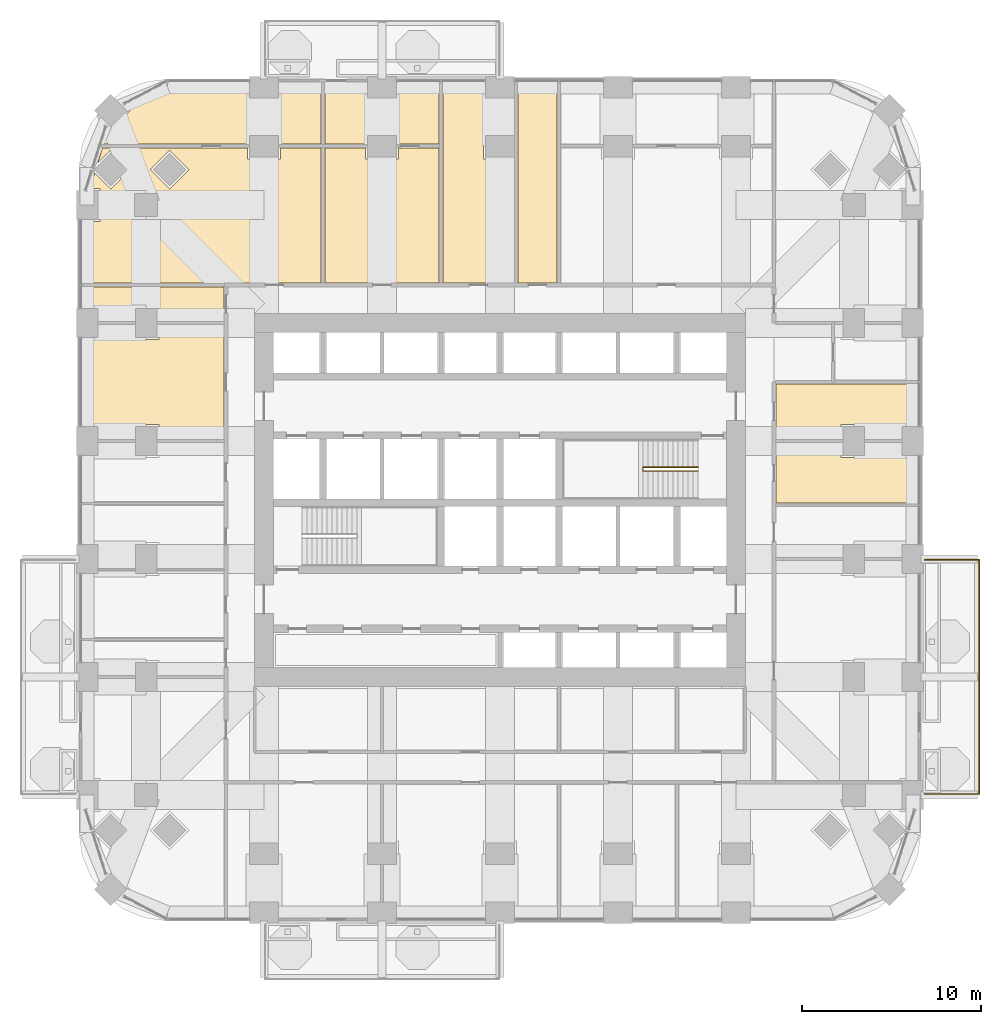
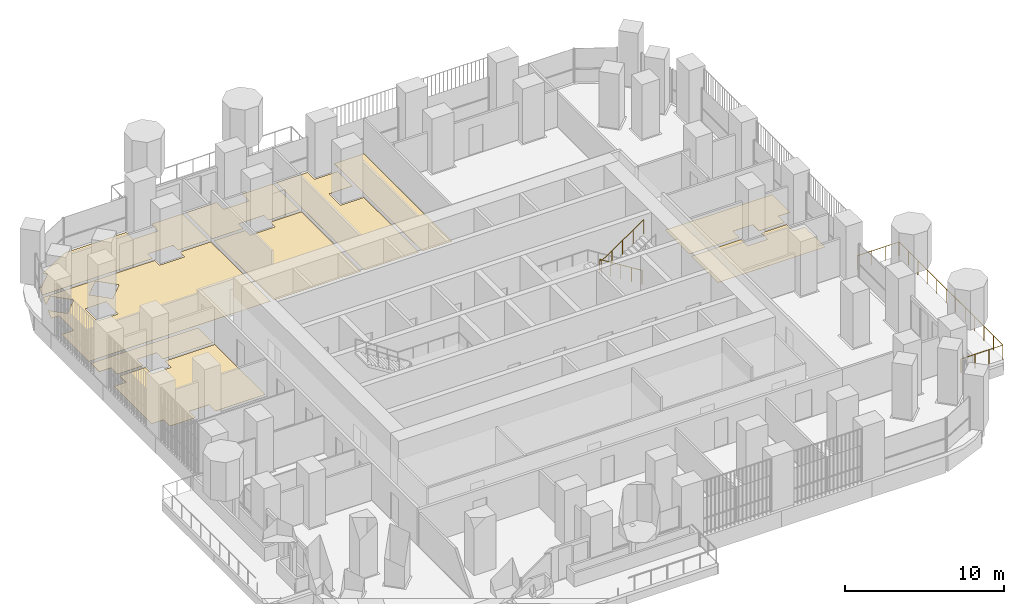
# One storey, part 19 of 21: 10 coverings, 2 railings.
"""IFC4 building model written with IfcOpenShell, lengths in metres."""

from ifc_helpers import new_model, si_unit, direction, frame, origin, place, context, subcontext, project, spatial, polyline, outline, extrude, material, layer, layer_set, type_object, element, save


model = new_model("IFC4")

# Units and contexts
model_context = context("Model", 3, precision=1e-05, world=origin(), true_north=direction((0.0, 1.0)))
body_context = subcontext(model_context, "Body", "Model", "MODEL_VIEW")
ifc_project = project(units=[si_unit("LENGTHUNIT", "METRE"), si_unit("AREAUNIT", "SQUARE_METRE"), si_unit("VOLUMEUNIT", "CUBIC_METRE"), si_unit("PLANEANGLEUNIT", "RADIAN"), si_unit("MASSUNIT", "GRAM", prefix="KILO")], contexts=[model_context])

# Site, building, storey
site_placement = place(None, origin())
site = spatial("IfcSite", under=ifc_project, at=site_placement, CompositionType="ELEMENT")
building_placement = place(site_placement, origin())
building = spatial("IfcBuilding", under=site, at=building_placement, Name="Cobogo Forest Laboratory Tower", CompositionType="ELEMENT")
storey_placement = place(building_placement, frame((0.0, 0.0, 141.0)))
storey = spatial("IfcBuildingStorey", under=building, at=storey_placement, Name="L32", CompositionType="ELEMENT", Elevation=141.0)

# Railing
ifc_material_1 = material(Name="Laminated glass balustrade", Category="glass")
railing_type_1 = type_object("IfcRailingType", Name="BG1 glass balustrade 1100", PredefinedType="GUARDRAIL", material=ifc_material_1)
railing_1_placement = place(storey_placement, frame((50.14990234375, 6.64990234375, 0.0)))
element("IfcRailing", 1, at=railing_1_placement, inside=storey, type_object=railing_type_1, Name="Balcony balustrade BAL-E1 L32", PredefinedType="GUARDRAIL", context=body_context, shape_type="SweptSolid", body=[
    extrude(outline(polyline([(0.022216796875, 0.00927734375), (0.00927734375, 0.022216796875), (-0.00927734375, 0.022216796875), (-0.022216796875, 0.00927734375), (-0.022216796875, -0.00927734375), (-0.00927734375, -0.022216796875), (0.00927734375, -0.022216796875), (0.022216796875, -0.00927734375), (0.022216796875, 0.00927734375)])), frame((0.0, 0.0, 1.077880859375), z_axis=(1.0, 0.0, 0.0), x_axis=(0.0, 1.0, 0.0)), (0.0, 0.0, 1.0), 3.050048828125),
    extrude(outline(polyline([(0.022216796875, 0.00927734375), (0.00927734375, 0.022216796875), (-0.00927734375, 0.022216796875), (-0.022216796875, 0.00927734375), (-0.022216796875, -0.00927734375), (-0.00927734375, -0.022216796875), (0.00927734375, -0.022216796875), (0.022216796875, -0.00927734375), (0.022216796875, 0.00927734375)])), frame((3.050048828125, 0.0, 1.077880859375), z_axis=(0.0, 1.0, 0.0), x_axis=(-1.0, 0.0, 0.0)), (0.0, 0.0, 1.0), 13.10009765625),
    extrude(outline(polyline([(0.022216796875, 0.00927734375), (0.00927734375, 0.022216796875), (-0.00927734375, 0.022216796875), (-0.022216796875, 0.00927734375), (-0.022216796875, -0.00927734375), (-0.00927734375, -0.022216796875), (0.00927734375, -0.022216796875), (0.022216796875, -0.00927734375), (0.022216796875, 0.00927734375)])), frame((3.050048828125, 13.10009765625, 1.077880859375), z_axis=(-1.0, 0.0, 0.0), x_axis=(0.0, -1.0, 0.0)), (0.0, 0.0, 1.0), 3.050048828125),
    extrude(outline(polyline([(0.019287109375, 0.008056640625), (0.008056640625, 0.019287109375), (-0.008056640625, 0.019287109375), (-0.019287109375, 0.008056640625), (-0.019287109375, -0.008056640625), (-0.008056640625, -0.019287109375), (0.008056640625, -0.019287109375), (0.019287109375, -0.008056640625), (0.019287109375, 0.008056640625)])), origin(), (0.0, 0.0, 1.0), 1.077880859375),
    extrude(outline(polyline([(0.019287109375, 0.008056640625), (0.008056640625, 0.019287109375), (-0.008056640625, 0.019287109375), (-0.019287109375, 0.008056640625), (-0.019287109375, -0.008056640625), (-0.008056640625, -0.019287109375), (0.008056640625, -0.019287109375), (0.019287109375, -0.008056640625), (0.019287109375, 0.008056640625)])), frame((1.0166015625, 0.0, 0.0)), (0.0, 0.0, 1.0), 1.077880859375),
    extrude(outline(polyline([(0.019287109375, 0.008056640625), (0.008056640625, 0.019287109375), (-0.008056640625, 0.019287109375), (-0.019287109375, 0.008056640625), (-0.019287109375, -0.008056640625), (-0.008056640625, -0.019287109375), (0.008056640625, -0.019287109375), (0.019287109375, -0.008056640625), (0.019287109375, 0.008056640625)])), frame((2.033447265625, 0.0, 0.0)), (0.0, 0.0, 1.0), 1.077880859375),
    extrude(outline(polyline([(0.019287109375, 0.008056640625), (0.008056640625, 0.019287109375), (-0.008056640625, 0.019287109375), (-0.019287109375, 0.008056640625), (-0.019287109375, -0.008056640625), (-0.008056640625, -0.019287109375), (0.008056640625, -0.019287109375), (0.019287109375, -0.008056640625), (0.019287109375, 0.008056640625)])), frame((3.050048828125, 0.0, 0.0)), (0.0, 0.0, 1.0), 1.077880859375),
    extrude(outline(polyline([(0.019287109375, 0.008056640625), (0.008056640625, 0.019287109375), (-0.008056640625, 0.019287109375), (-0.019287109375, 0.008056640625), (-0.019287109375, -0.008056640625), (-0.008056640625, -0.019287109375), (0.008056640625, -0.019287109375), (0.019287109375, -0.008056640625), (0.019287109375, 0.008056640625)])), frame((3.050048828125, 1.19091796875, 0.0)), (0.0, 0.0, 1.0), 1.077880859375),
    extrude(outline(polyline([(0.019287109375, 0.008056640625), (0.008056640625, 0.019287109375), (-0.008056640625, 0.019287109375), (-0.019287109375, 0.008056640625), (-0.019287109375, -0.008056640625), (-0.008056640625, -0.019287109375), (0.008056640625, -0.019287109375), (0.019287109375, -0.008056640625), (0.019287109375, 0.008056640625)])), frame((3.050048828125, 2.3818359375, 0.0)), (0.0, 0.0, 1.0), 1.077880859375),
    extrude(outline(polyline([(0.019287109375, 0.008056640625), (0.008056640625, 0.019287109375), (-0.008056640625, 0.019287109375), (-0.019287109375, 0.008056640625), (-0.019287109375, -0.008056640625), (-0.008056640625, -0.019287109375), (0.008056640625, -0.019287109375), (0.019287109375, -0.008056640625), (0.019287109375, 0.008056640625)])), frame((3.050048828125, 3.57275390625, 0.0)), (0.0, 0.0, 1.0), 1.077880859375),
    extrude(outline(polyline([(0.019287109375, 0.008056640625), (0.008056640625, 0.019287109375), (-0.008056640625, 0.019287109375), (-0.019287109375, 0.008056640625), (-0.019287109375, -0.008056640625), (-0.008056640625, -0.019287109375), (0.008056640625, -0.019287109375), (0.019287109375, -0.008056640625), (0.019287109375, 0.008056640625)])), frame((3.050048828125, 4.763671875, 0.0)), (0.0, 0.0, 1.0), 1.077880859375),
    extrude(outline(polyline([(0.019287109375, 0.008056640625), (0.008056640625, 0.019287109375), (-0.008056640625, 0.019287109375), (-0.019287109375, 0.008056640625), (-0.019287109375, -0.008056640625), (-0.008056640625, -0.019287109375), (0.008056640625, -0.019287109375), (0.019287109375, -0.008056640625), (0.019287109375, 0.008056640625)])), frame((3.050048828125, 5.95458984375, 0.0)), (0.0, 0.0, 1.0), 1.077880859375),
    extrude(outline(polyline([(0.019287109375, 0.008056640625), (0.008056640625, 0.019287109375), (-0.008056640625, 0.019287109375), (-0.019287109375, 0.008056640625), (-0.019287109375, -0.008056640625), (-0.008056640625, -0.019287109375), (0.008056640625, -0.019287109375), (0.019287109375, -0.008056640625), (0.019287109375, 0.008056640625)])), frame((3.050048828125, 7.1455078125, 0.0)), (0.0, 0.0, 1.0), 1.077880859375),
    extrude(outline(polyline([(0.019287109375, 0.008056640625), (0.008056640625, 0.019287109375), (-0.008056640625, 0.019287109375), (-0.019287109375, 0.008056640625), (-0.019287109375, -0.008056640625), (-0.008056640625, -0.019287109375), (0.008056640625, -0.019287109375), (0.019287109375, -0.008056640625), (0.019287109375, 0.008056640625)])), frame((3.050048828125, 8.33642578125, 0.0)), (0.0, 0.0, 1.0), 1.077880859375),
    extrude(outline(polyline([(0.019287109375, 0.008056640625), (0.008056640625, 0.019287109375), (-0.008056640625, 0.019287109375), (-0.019287109375, 0.008056640625), (-0.019287109375, -0.008056640625), (-0.008056640625, -0.019287109375), (0.008056640625, -0.019287109375), (0.019287109375, -0.008056640625), (0.019287109375, 0.008056640625)])), frame((3.050048828125, 9.52734375, 0.0)), (0.0, 0.0, 1.0), 1.077880859375),
    extrude(outline(polyline([(0.019287109375, 0.008056640625), (0.008056640625, 0.019287109375), (-0.008056640625, 0.019287109375), (-0.019287109375, 0.008056640625), (-0.019287109375, -0.008056640625), (-0.008056640625, -0.019287109375), (0.008056640625, -0.019287109375), (0.019287109375, -0.008056640625), (0.019287109375, 0.008056640625)])), frame((3.050048828125, 10.71826171875, 0.0)), (0.0, 0.0, 1.0), 1.077880859375),
    extrude(outline(polyline([(0.019287109375, 0.008056640625), (0.008056640625, 0.019287109375), (-0.008056640625, 0.019287109375), (-0.019287109375, 0.008056640625), (-0.019287109375, -0.008056640625), (-0.008056640625, -0.019287109375), (0.008056640625, -0.019287109375), (0.019287109375, -0.008056640625), (0.019287109375, 0.008056640625)])), frame((3.050048828125, 11.9091796875, 0.0)), (0.0, 0.0, 1.0), 1.077880859375),
    extrude(outline(polyline([(0.019287109375, 0.008056640625), (0.008056640625, 0.019287109375), (-0.008056640625, 0.019287109375), (-0.019287109375, 0.008056640625), (-0.019287109375, -0.008056640625), (-0.008056640625, -0.019287109375), (0.008056640625, -0.019287109375), (0.019287109375, -0.008056640625), (0.019287109375, 0.008056640625)])), frame((3.050048828125, 13.10009765625, 0.0)), (0.0, 0.0, 1.0), 1.077880859375),
    extrude(outline(polyline([(0.019287109375, 0.008056640625), (0.008056640625, 0.019287109375), (-0.008056640625, 0.019287109375), (-0.019287109375, 0.008056640625), (-0.019287109375, -0.008056640625), (-0.008056640625, -0.019287109375), (0.008056640625, -0.019287109375), (0.019287109375, -0.008056640625), (0.019287109375, 0.008056640625)])), frame((2.033447265625, 13.10009765625, 0.0)), (0.0, 0.0, 1.0), 1.077880859375),
    extrude(outline(polyline([(0.019287109375, 0.008056640625), (0.008056640625, 0.019287109375), (-0.008056640625, 0.019287109375), (-0.019287109375, 0.008056640625), (-0.019287109375, -0.008056640625), (-0.008056640625, -0.019287109375), (0.008056640625, -0.019287109375), (0.019287109375, -0.008056640625), (0.019287109375, 0.008056640625)])), frame((1.0166015625, 13.10009765625, 0.0)), (0.0, 0.0, 1.0), 1.077880859375),
    extrude(outline(polyline([(0.019287109375, 0.008056640625), (0.008056640625, 0.019287109375), (-0.008056640625, 0.019287109375), (-0.019287109375, 0.008056640625), (-0.019287109375, -0.008056640625), (-0.008056640625, -0.019287109375), (0.008056640625, -0.019287109375), (0.019287109375, -0.008056640625), (0.019287109375, 0.008056640625)])), frame((0.0, 13.10009765625, 0.0)), (0.0, 0.0, 1.0), 1.077880859375),
])

# Coverings
ifc_material_2 = material(Name="Carpet tile on raised access floor", Category="flooring")
ifc_layer_1 = layer(ifc_material_2, 0.008056640625)
ifc_layer_set_1 = layer_set([ifc_layer_1], Name="CT1 carpet tile floor 8")
covering_type_1 = type_object("IfcCoveringType", Name="CT1 carpet tile floor 8", PredefinedType="FLOORING", material=ifc_layer_set_1)
covering_1_placement = place(storey_placement, origin())
element("IfcCovering", 2, at=covering_1_placement, inside=storey, type_object=covering_type_1, Name="Carpet floor L32-12", PredefinedType="FLOORING", context=body_context, shape_type="SweptSolid", body=[
    extrude(outline(polyline([(41.844970703125, 29.580078125), (49.64990234375, 29.580078125), (49.64990234375, 27.320068359375), (48.780029296875, 27.320068359375), (48.780029296875, 26.52001953125), (46.919921875, 26.52001953125), (46.919921875, 27.320068359375), (45.47998046875, 27.320068359375), (45.47998046875, 26.52001953125), (41.844970703125, 26.52001953125), (41.844970703125, 29.580078125)])), origin(), (0.0, 0.0, 1.0), 0.008056640625),
])
covering_2_placement = place(storey_placement, origin())
element("IfcCovering", 3, at=covering_2_placement, inside=storey, type_object=covering_type_1, Name="Carpet floor L32-15", PredefinedType="FLOORING", context=body_context, shape_type="SweptSolid", body=[
    extrude(outline(polyline([(3.72412109375, 41.386962890625), (4.617919921875, 40.492919921875), (5.70703125, 41.58203125), (4.617919921875, 42.6708984375), (3.904052734375, 41.95703125), (4.1640625, 42.780029296875), (12.280029296875, 42.780029296875), (12.280029296875, 42.179931640625), (14.1201171875, 42.179931640625), (14.1201171875, 42.780029296875), (16.3798828125, 42.780029296875), (16.3798828125, 35.2451171875), (3.14990234375, 35.2451171875), (3.14990234375, 38.679931640625), (4.02001953125, 38.679931640625), (4.02001953125, 40.52001953125), (3.4501953125, 40.52001953125), (3.72412109375, 41.386962890625)]), holes=[polyline([(6.8291015625, 41.58203125), (7.91796875, 40.492919921875), (9.007080078125, 41.58203125), (7.91796875, 42.6708984375), (6.8291015625, 41.58203125)]), polyline([(5.830078125, 38.830078125), (7.3701171875, 38.830078125), (7.3701171875, 40.3701171875), (5.830078125, 40.3701171875), (5.830078125, 38.830078125)])]), origin(), (0.0, 0.0, 1.0), 0.008056640625),
])
covering_3_placement = place(storey_placement, origin())
element("IfcCovering", 4, at=covering_3_placement, inside=storey, type_object=covering_type_1, Name="Carpet floor L32-16", PredefinedType="FLOORING", context=body_context, shape_type="SweptSolid", body=[
    extrude(outline(polyline([(14.1201171875, 43.02001953125), (14.1201171875, 43.6201171875), (12.280029296875, 43.6201171875), (12.280029296875, 43.02001953125), (4.23974609375, 43.02001953125), (4.51611328125, 43.89501953125), (4.617919921875, 43.79296875), (5.70703125, 44.882080078125), (5.480712890625, 45.1083984375), (7.84912109375, 46.35009765625), (12.280029296875, 46.35009765625), (12.280029296875, 45.47998046875), (14.1201171875, 45.47998046875), (14.1201171875, 46.35009765625), (16.3798828125, 46.35009765625), (16.3798828125, 43.02001953125), (14.1201171875, 43.02001953125)])), origin(), (0.0, 0.0, 1.0), 0.008056640625),
])
covering_4_placement = place(storey_placement, origin())
element("IfcCovering", 5, at=covering_4_placement, inside=storey, type_object=covering_type_1, Name="Carpet floor L32-18", PredefinedType="FLOORING", context=body_context, shape_type="SweptSolid", body=[
    extrude(outline(polyline([(20.719970703125, 43.02001953125), (20.719970703125, 43.6201171875), (18.8798828125, 43.6201171875), (18.8798828125, 43.02001953125), (16.6201171875, 43.02001953125), (16.6201171875, 46.35009765625), (18.8798828125, 46.35009765625), (18.8798828125, 45.47998046875), (20.719970703125, 45.47998046875), (20.719970703125, 46.35009765625), (22.97998046875, 46.35009765625), (22.97998046875, 43.02001953125), (20.719970703125, 43.02001953125)])), origin(), (0.0, 0.0, 1.0), 0.008056640625),
])
covering_5_placement = place(storey_placement, origin())
element("IfcCovering", 6, at=covering_5_placement, inside=storey, type_object=covering_type_1, Name="Carpet floor L32-19", PredefinedType="FLOORING", context=body_context, shape_type="SweptSolid", body=[
    extrude(outline(polyline([(23.219970703125, 35.2451171875), (23.219970703125, 46.35009765625), (25.47998046875, 46.35009765625), (25.47998046875, 45.47998046875), (27.179931640625, 45.47998046875), (27.179931640625, 43.6201171875), (25.47998046875, 43.6201171875), (25.47998046875, 42.179931640625), (27.179931640625, 42.179931640625), (27.179931640625, 35.2451171875), (23.219970703125, 35.2451171875)])), origin(), (0.0, 0.0, 1.0), 0.008056640625),
])
covering_6_placement = place(storey_placement, origin())
element("IfcCovering", 7, at=covering_6_placement, inside=storey, type_object=covering_type_1, Name="Carpet floor L32-28", PredefinedType="FLOORING", context=body_context, shape_type="SweptSolid", body=[
    extrude(outline(polyline([(10.955078125, 26.52001953125), (7.320068359375, 26.52001953125), (7.320068359375, 27.320068359375), (5.8798828125, 27.320068359375), (5.8798828125, 26.52001953125), (4.02001953125, 26.52001953125), (4.02001953125, 27.320068359375), (3.14990234375, 27.320068359375), (3.14990234375, 32.080078125), (4.02001953125, 32.080078125), (4.02001953125, 32.8798828125), (5.8798828125, 32.8798828125), (5.8798828125, 32.080078125), (7.320068359375, 32.080078125), (7.320068359375, 32.8798828125), (10.955078125, 32.8798828125), (10.955078125, 26.52001953125)])), origin(), (0.0, 0.0, 1.0), 0.008056640625),
])
covering_7_placement = place(storey_placement, origin())
element("IfcCovering", 8, at=covering_7_placement, inside=storey, type_object=covering_type_1, Name="Carpet floor L32-29", PredefinedType="FLOORING", context=body_context, shape_type="SweptSolid", body=[
    extrude(outline(polyline([(10.955078125, 33.1201171875), (7.320068359375, 33.1201171875), (7.320068359375, 33.919921875), (5.8798828125, 33.919921875), (5.8798828125, 33.1201171875), (4.02001953125, 33.1201171875), (4.02001953125, 33.919921875), (3.14990234375, 33.919921875), (3.14990234375, 35.0048828125), (10.955078125, 35.0048828125), (10.955078125, 33.1201171875)])), origin(), (0.0, 0.0, 1.0), 0.008056640625),
])

# Railing
ifc_material_3 = material(Name="Steel balustrade", Category="steel")
railing_type_2 = type_object("IfcRailingType", Name="GR stair guard 1100", PredefinedType="GUARDRAIL", material=ifc_material_3)
railing_2_placement = place(storey_placement, frame((37.47509765625, 24.929931640625, 0.175048828125)))
element("IfcRailing", 9, at=railing_2_placement, inside=storey, type_object=railing_type_2, Name="Stair guard ST2 L32", PredefinedType="GUARDRAIL", context=body_context, shape_type="SweptSolid", body=[
    extrude(outline(polyline([(0.022216796875, 0.00927734375), (0.00927734375, 0.022216796875), (-0.00927734375, 0.022216796875), (-0.022216796875, 0.00927734375), (-0.022216796875, -0.00927734375), (-0.00927734375, -0.022216796875), (0.00927734375, -0.022216796875), (0.022216796875, -0.00927734375), (0.022216796875, 0.00927734375)])), frame((0.0, 0.0, 1.077880859375), z_axis=(-0.847998304005, 0.0, 0.529998940003), x_axis=(0.0, -1.0, 0.0)), (0.0, 0.0, 1.0), 3.632080078125),
    extrude(outline(polyline([(0.022216796875, 0.00927734375), (0.00927734375, 0.022216796875), (-0.00927734375, 0.022216796875), (-0.022216796875, 0.00927734375), (-0.022216796875, -0.00927734375), (-0.00927734375, -0.022216796875), (0.00927734375, -0.022216796875), (0.022216796875, -0.00927734375), (0.022216796875, 0.00927734375)])), frame((-3.080078125, 0.0, 3.0029296875), z_axis=(0.0, -1.0, 0.0), x_axis=(1.0, 0.0, 0.0)), (0.0, 0.0, 1.0), 0.2099609375),
    extrude(outline(polyline([(0.022216796875, 0.00927734375), (0.00927734375, 0.022216796875), (-0.00927734375, 0.022216796875), (-0.022216796875, 0.00927734375), (-0.022216796875, -0.00927734375), (-0.00927734375, -0.022216796875), (0.00927734375, -0.022216796875), (0.022216796875, -0.00927734375), (0.022216796875, 0.00927734375)])), frame((-3.080078125, -0.2099609375, 3.0029296875), z_axis=(0.826252282691, 0.0, 0.563300244406), x_axis=(0.0, 1.0, 0.0)), (0.0, 0.0, 1.0), 3.727783203125),
    extrude(outline(polyline([(0.019287109375, 0.008056640625), (0.008056640625, 0.019287109375), (-0.008056640625, 0.019287109375), (-0.019287109375, 0.008056640625), (-0.019287109375, -0.008056640625), (-0.008056640625, -0.019287109375), (0.008056640625, -0.019287109375), (0.019287109375, -0.008056640625), (0.019287109375, 0.008056640625)])), origin(), (0.0, 0.0, 1.0), 1.077880859375),
    extrude(outline(polyline([(0.019287109375, 0.008056640625), (0.008056640625, 0.019287109375), (-0.008056640625, 0.019287109375), (-0.019287109375, 0.008056640625), (-0.019287109375, -0.008056640625), (-0.008056640625, -0.019287109375), (0.008056640625, -0.019287109375), (0.019287109375, -0.008056640625), (0.019287109375, 0.008056640625)])), frame((-0.77001953125, 0.0, 0.481201171875)), (0.0, 0.0, 1.0), 1.077880859375),
    extrude(outline(polyline([(0.019287109375, 0.008056640625), (0.008056640625, 0.019287109375), (-0.008056640625, 0.019287109375), (-0.019287109375, 0.008056640625), (-0.019287109375, -0.008056640625), (-0.008056640625, -0.019287109375), (0.008056640625, -0.019287109375), (0.019287109375, -0.008056640625), (0.019287109375, 0.008056640625)])), frame((-1.5400390625, 0.0, 0.96240234375)), (0.0, 0.0, 1.0), 1.077880859375),
    extrude(outline(polyline([(0.019287109375, 0.008056640625), (0.008056640625, 0.019287109375), (-0.008056640625, 0.019287109375), (-0.019287109375, 0.008056640625), (-0.019287109375, -0.008056640625), (-0.008056640625, -0.019287109375), (0.008056640625, -0.019287109375), (0.019287109375, -0.008056640625), (0.019287109375, 0.008056640625)])), frame((-2.31005859375, 0.0, 1.44384765625)), (0.0, 0.0, 1.0), 1.077880859375),
    extrude(outline(polyline([(0.019287109375, 0.008056640625), (0.008056640625, 0.019287109375), (-0.008056640625, 0.019287109375), (-0.019287109375, 0.008056640625), (-0.019287109375, -0.008056640625), (-0.008056640625, -0.019287109375), (0.008056640625, -0.019287109375), (0.019287109375, -0.008056640625), (0.019287109375, 0.008056640625)])), frame((-3.080078125, 0.0, 1.925048828125)), (0.0, 0.0, 1.0), 1.077880859375),
    extrude(outline(polyline([(0.019287109375, 0.008056640625), (0.008056640625, 0.019287109375), (-0.008056640625, 0.019287109375), (-0.019287109375, 0.008056640625), (-0.019287109375, -0.008056640625), (-0.008056640625, -0.019287109375), (0.008056640625, -0.019287109375), (0.019287109375, -0.008056640625), (0.019287109375, 0.008056640625)])), frame((-3.080078125, -0.2099609375, 1.925048828125)), (0.0, 0.0, 1.0), 1.077880859375),
    extrude(outline(polyline([(0.019287109375, 0.008056640625), (0.008056640625, 0.019287109375), (-0.008056640625, 0.019287109375), (-0.019287109375, 0.008056640625), (-0.019287109375, -0.008056640625), (-0.008056640625, -0.019287109375), (0.008056640625, -0.019287109375), (0.019287109375, -0.008056640625), (0.019287109375, 0.008056640625)])), frame((-2.31005859375, -0.2099609375, 2.449951171875)), (0.0, 0.0, 1.0), 1.077880859375),
    extrude(outline(polyline([(0.019287109375, 0.008056640625), (0.008056640625, 0.019287109375), (-0.008056640625, 0.019287109375), (-0.019287109375, 0.008056640625), (-0.019287109375, -0.008056640625), (-0.008056640625, -0.019287109375), (0.008056640625, -0.019287109375), (0.019287109375, -0.008056640625), (0.019287109375, 0.008056640625)])), frame((-1.5400390625, -0.2099609375, 2.97509765625)), (0.0, 0.0, 1.0), 1.077880859375),
    extrude(outline(polyline([(0.019287109375, 0.008056640625), (0.008056640625, 0.019287109375), (-0.008056640625, 0.019287109375), (-0.019287109375, 0.008056640625), (-0.019287109375, -0.008056640625), (-0.008056640625, -0.019287109375), (0.008056640625, -0.019287109375), (0.019287109375, -0.008056640625), (0.019287109375, 0.008056640625)])), frame((-0.77001953125, -0.2099609375, 3.5)), (0.0, 0.0, 1.0), 1.077880859375),
    extrude(outline(polyline([(0.019287109375, 0.008056640625), (0.008056640625, 0.019287109375), (-0.008056640625, 0.019287109375), (-0.019287109375, 0.008056640625), (-0.019287109375, -0.008056640625), (-0.008056640625, -0.019287109375), (0.008056640625, -0.019287109375), (0.019287109375, -0.008056640625), (0.019287109375, 0.008056640625)])), frame((0.0, -0.2099609375, 4.02490234375)), (0.0, 0.0, 1.0), 1.077880859375),
])

# Coverings
ifc_material_4 = material(Name="Static-dissipative vinyl flooring", Category="flooring")
ifc_layer_2 = layer(ifc_material_4, 0.0029296875)
ifc_layer_set_2 = layer_set([ifc_layer_2], Name="SD1 static-dissipative vinyl floor 3")
covering_type_2 = type_object("IfcCoveringType", Name="SD1 static-dissipative vinyl floor 3", PredefinedType="FLOORING", material=ifc_layer_set_2)
covering_8_placement = place(storey_placement, origin())
element("IfcCovering", 10, at=covering_8_placement, inside=storey, type_object=covering_type_2, Name="Static-dissipative floor L32-11", PredefinedType="FLOORING", context=body_context, shape_type="SweptSolid", body=[
    extrude(outline(polyline([(41.844970703125, 26.280029296875), (45.47998046875, 26.280029296875), (45.47998046875, 25.47998046875), (46.919921875, 25.47998046875), (46.919921875, 26.280029296875), (48.780029296875, 26.280029296875), (48.780029296875, 25.47998046875), (49.64990234375, 25.47998046875), (49.64990234375, 22.919921875), (41.844970703125, 22.919921875), (41.844970703125, 26.280029296875)])), origin(), (0.0, 0.0, 1.0), 0.0029296875),
])
ifc_material_5 = material(Name="Ceramic floor tile", Category="flooring")
ifc_layer_3 = layer(ifc_material_5, 0.010009765625)
ifc_layer_set_3 = layer_set([ifc_layer_3], Name="TF1 ceramic tile floor 10")
covering_type_3 = type_object("IfcCoveringType", Name="TF1 ceramic tile floor 10", PredefinedType="FLOORING", material=ifc_layer_set_3)
covering_9_placement = place(storey_placement, origin())
element("IfcCovering", 11, at=covering_9_placement, inside=storey, type_object=covering_type_3, Name="Tile floor L32-17", PredefinedType="FLOORING", context=body_context, shape_type="SweptSolid", body=[
    extrude(outline(polyline([(16.6201171875, 42.780029296875), (18.8798828125, 42.780029296875), (18.8798828125, 42.179931640625), (20.719970703125, 42.179931640625), (20.719970703125, 42.780029296875), (22.97998046875, 42.780029296875), (22.97998046875, 35.2451171875), (16.6201171875, 35.2451171875), (16.6201171875, 42.780029296875)])), origin(), (0.0, 0.0, 1.0), 0.010009765625),
])
covering_10_placement = place(storey_placement, origin())
element("IfcCovering", 12, at=covering_10_placement, inside=storey, type_object=covering_type_3, Name="Tile floor L32-20", PredefinedType="FLOORING", context=body_context, shape_type="SweptSolid", body=[
    extrude(outline(polyline([(29.580078125, 35.2451171875), (27.419921875, 35.2451171875), (27.419921875, 46.35009765625), (29.580078125, 46.35009765625), (29.580078125, 35.2451171875)])), origin(), (0.0, 0.0, 1.0), 0.010009765625),
])

save(model, "model.ifc")
